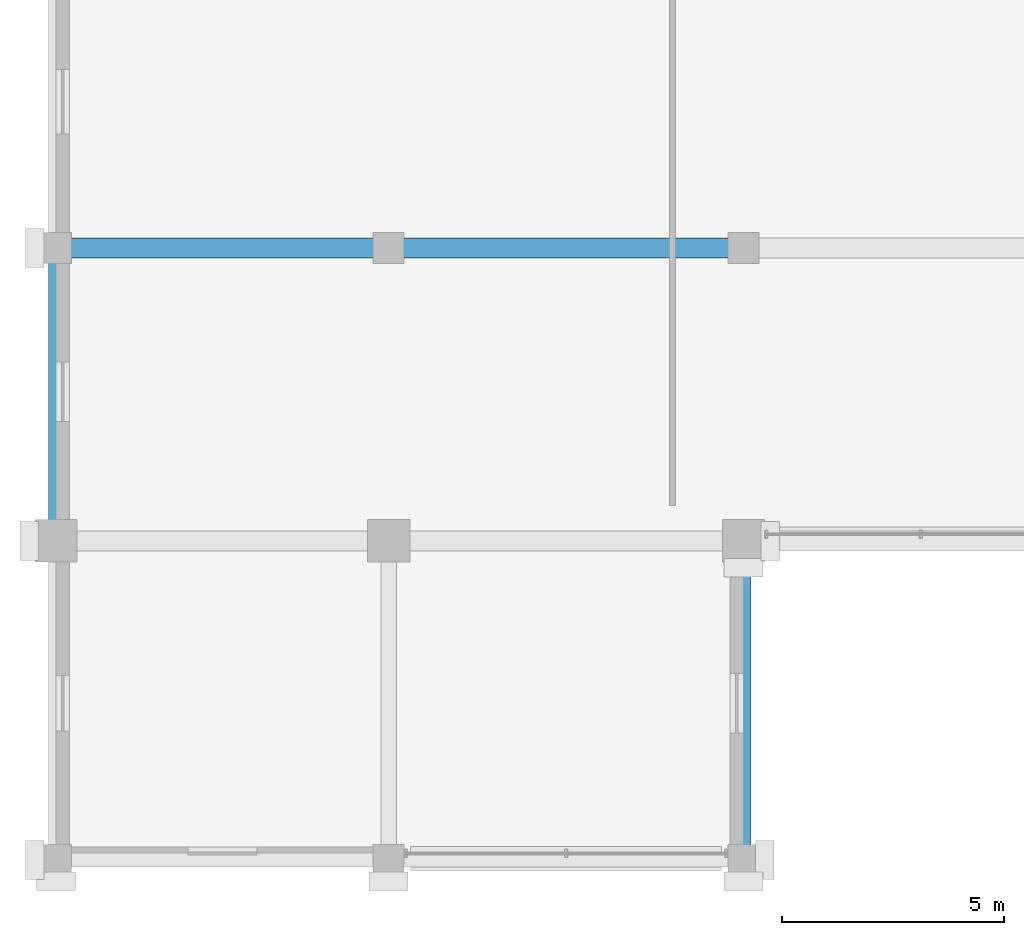
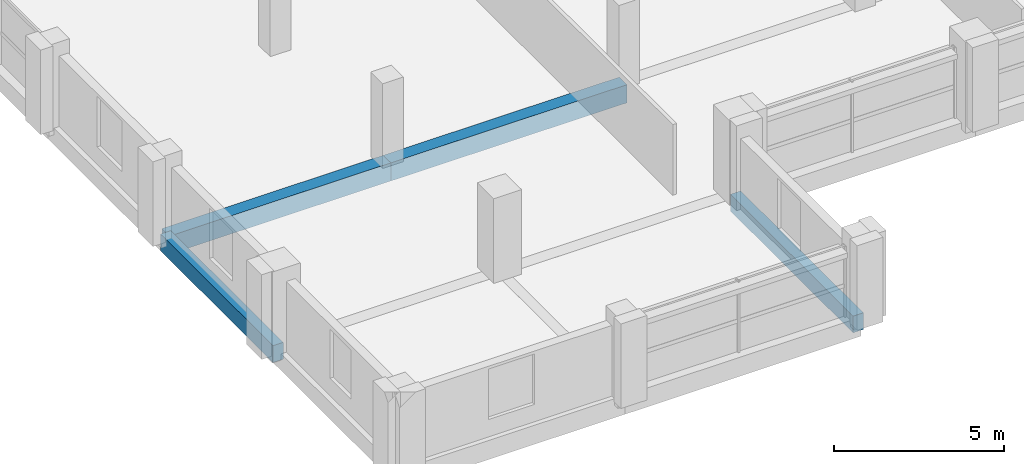
# One storey, part 3 of 25: 4 beams.
"""IFC4 building model written with IfcOpenShell, lengths in metres."""

from ifc_helpers import new_model, si_unit, direction, frame, origin, origin_2d, place, context, subcontext, project, spatial, rectangle, extrude, material, material_profile, profile_set, type_object, element, save


model = new_model("IFC4")

# Units and contexts
model_context = context("Model", 3, precision=1e-05, world=origin(), true_north=direction((0.0, 1.0)))
body_context = subcontext(model_context, "Body", "Model", "MODEL_VIEW")
ifc_project = project(units=[si_unit("LENGTHUNIT", "METRE"), si_unit("AREAUNIT", "SQUARE_METRE"), si_unit("VOLUMEUNIT", "CUBIC_METRE"), si_unit("PLANEANGLEUNIT", "RADIAN"), si_unit("MASSUNIT", "GRAM", prefix="KILO")], contexts=[model_context])

# Site, building, storey
site_placement = place(None, origin())
site = spatial("IfcSite", under=ifc_project, at=site_placement, CompositionType="ELEMENT")
building_placement = place(site_placement, origin())
building = spatial("IfcBuilding", under=site, at=building_placement, Name="Akrevak Sports Hall", CompositionType="ELEMENT")
storey_placement = place(building_placement, frame((0.0, 0.0, 50.300048828125)))
storey = spatial("IfcBuildingStorey", under=building, at=storey_placement, Name="L12", CompositionType="ELEMENT", Elevation=50.300048828125)

# Beams
ifc_material = material(Name="Concrete C40/50", Category="concrete")
ifc_material_profile_1 = material_profile(ifc_material, rectangle(XDim=0.35009765625, YDim=0.60009765625, at=origin_2d()), Name="BM 350x600", Category="concrete")
ifc_profile_set_1 = profile_set([ifc_material_profile_1], Name="Concrete C40/50")
beam_type_1 = type_object("IfcBeamType", Name="STR-BM-RC350x600", PredefinedType="BEAM", material=ifc_profile_set_1)
beam_1_placement = place(storey_placement, frame((52.5, 28.800048828125, -0.300048828125), z_axis=(0.0, 1.0, 0.0), x_axis=(-1.0, 0.0, 0.0)))
element("IfcBeam", 1, at=beam_1_placement, inside=storey, type_object=beam_type_1, Name="Girder 8/E-F (L12)", PredefinedType="BEAM", context=body_context, shape_type="SweptSolid", body=[
    extrude(rectangle(XDim=0.35009765625, YDim=0.60009765625, at=origin_2d()), origin(), (0.0, 0.0, 1.0), 6.599853515625),
])
beam_2_placement = place(storey_placement, frame((68.0, 21.60009765625, -0.300048828125), z_axis=(0.0, 1.0, 0.0), x_axis=(-1.0, 0.0, 0.0)))
element("IfcBeam", 2, at=beam_2_placement, inside=storey, type_object=beam_type_1, Name="Girder 10/D-E (L12)", PredefinedType="BEAM", context=body_context, shape_type="SweptSolid", body=[
    extrude(rectangle(XDim=0.35009765625, YDim=0.60009765625, at=origin_2d()), origin(), (0.0, 0.0, 1.0), 7.199951171875),
])
ifc_material_profile_2 = material_profile(ifc_material, rectangle(XDim=0.449951171875, YDim=0.64990234375, at=origin_2d()), Name="BM 450x650", Category="concrete")
ifc_profile_set_2 = profile_set([ifc_material_profile_2], Name="Concrete C40/50")
beam_type_2 = type_object("IfcBeamType", Name="STR-BM-RC450x650", PredefinedType="BEAM", material=ifc_profile_set_2)
beam_3_placement = place(storey_placement, frame((52.5, 35.39990234375, -0.324951171875), z_axis=(1.0, 0.0, 0.0), x_axis=(0.0, 1.0, 0.0)))
element("IfcBeam", 3, at=beam_3_placement, inside=storey, type_object=beam_type_2, Name="Girder F/8-9 (L12)", PredefinedType="BEAM", context=body_context, shape_type="SweptSolid", body=[
    extrude(rectangle(XDim=0.449951171875, YDim=0.64990234375, at=origin_2d()), origin(), (0.0, 0.0, 1.0), 7.5),
])
beam_4_placement = place(storey_placement, frame((60.0, 35.39990234375, -0.324951171875), z_axis=(1.0, 0.0, 0.0), x_axis=(0.0, 1.0, 0.0)))
element("IfcBeam", 4, at=beam_4_placement, inside=storey, type_object=beam_type_2, Name="Girder F/9-10 (L12)", PredefinedType="BEAM", context=body_context, shape_type="SweptSolid", body=[
    extrude(rectangle(XDim=0.449951171875, YDim=0.64990234375, at=origin_2d()), origin(), (0.0, 0.0, 1.0), 8.0),
])

save(model, "model.ifc")
